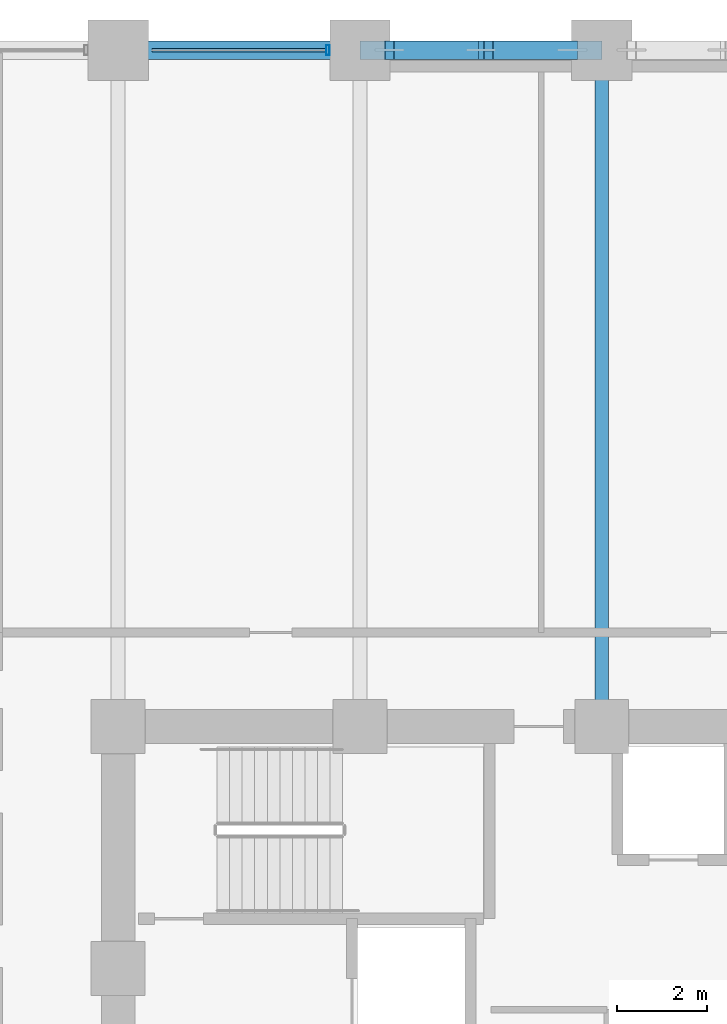
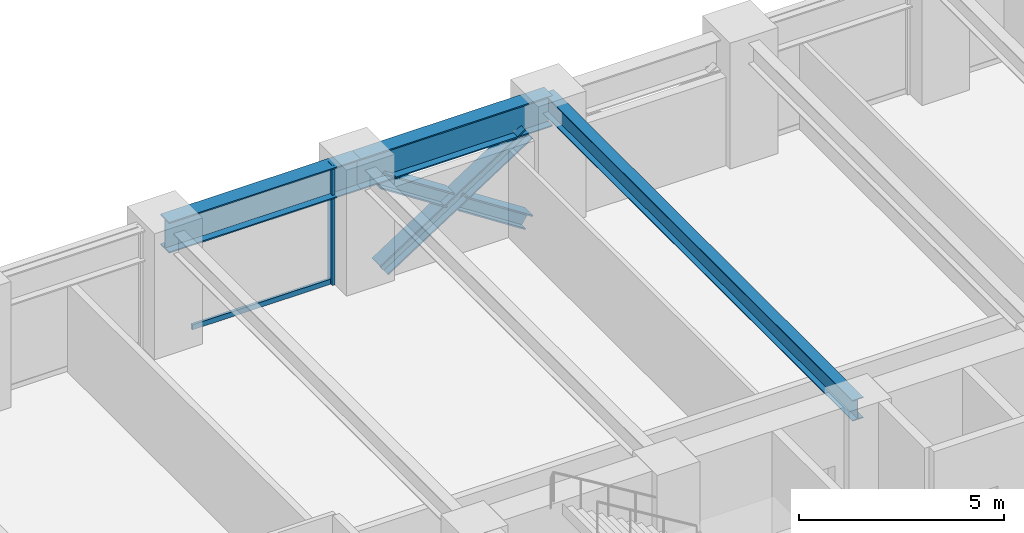
# One storey, part 13 of 25: 5 members, 3 beams, 1 element without a shape of its own.
"""IFC4 building model written with IfcOpenShell, lengths in metres."""

from ifc_helpers import new_model, si_unit, direction, frame, origin, origin_2d, place, context, subcontext, project, spatial, hollow_rectangle, i_section, extrude, material, layer, layer_set, material_profile, profile_set, type_object, element, aggregate, save


model = new_model("IFC4")

# Units and contexts
model_context = context("Model", 3, precision=1e-05, world=origin(), true_north=direction((0.0, 1.0)))
body_context = subcontext(model_context, "Body", "Model", "MODEL_VIEW")
ifc_project = project(units=[si_unit("LENGTHUNIT", "METRE"), si_unit("AREAUNIT", "SQUARE_METRE"), si_unit("VOLUMEUNIT", "CUBIC_METRE"), si_unit("PLANEANGLEUNIT", "RADIAN"), si_unit("MASSUNIT", "GRAM", prefix="KILO")], contexts=[model_context])

# Site, building, storey
site_placement = place(None, origin())
site = spatial("IfcSite", under=ifc_project, at=site_placement, CompositionType="ELEMENT")
building_placement = place(site_placement, origin())
building = spatial("IfcBuilding", under=site, at=building_placement, Name="Surkhivell Harbour Commons", CompositionType="ELEMENT")
storey_placement = place(building_placement, frame((0.0, 0.0, 37.5)))
storey = spatial("IfcBuildingStorey", under=building, at=storey_placement, Name="L09", CompositionType="ELEMENT", Elevation=37.5)

# Beams
ifc_material_1 = material(Name="Steel S355", Category="steel")
ifc_material_profile_1 = material_profile(ifc_material_1, i_section(OverallWidth=0.306884765625, OverallDepth=0.6201171875, WebThickness=0.01416015625, FlangeThickness=0.023681640625, at=origin_2d()), Name="UB610x305x179")
ifc_profile_set_1 = profile_set([ifc_material_profile_1], Name="Steel S355")
beam_type_1 = type_object("IfcBeamType", Name="BM-GRD-610A", PredefinedType="BEAM", material=ifc_profile_set_1)
beam_1_placement = place(storey_placement, frame((0.0, 10.800048828125, 3.260009765625), z_axis=(0.0, 1.0, 0.0), x_axis=(-1.0, 0.0, 0.0)))
element("IfcBeam", 1, at=beam_1_placement, inside=storey, type_object=beam_type_1, Name="L09 Floor Girder (0.0,10.8)", PredefinedType="BEAM", context=body_context, shape_type="SweptSolid", body=[
    extrude(i_section(OverallWidth=0.306884765625, OverallDepth=0.6201171875, WebThickness=0.01416015625, FlangeThickness=0.023681640625, at=origin_2d()), origin(), (0.0, 0.0, 1.0), 15.099853515625),
])
ifc_material_2 = material(Name="Steel S460", Category="steel")
ifc_material_profile_2 = material_profile(ifc_material_2, i_section(OverallWidth=0.419921875, OverallDepth=0.9208984375, WebThickness=0.021484375, FlangeThickness=0.03662109375, at=origin_2d()), Name="UB914x419x388")
ifc_profile_set_2 = profile_set([ifc_material_profile_2], Name="Steel S460")
beam_type_2 = type_object("IfcBeamType", Name="BM-SPN-914A", PredefinedType="SPANDREL", material=ifc_profile_set_2)
beam_2_placement = place(storey_placement, frame((-10.800048828125, 25.89990234375, 3.109619140625), z_axis=(1.0, 0.0, 0.0), x_axis=(0.0, 1.0, 0.0)))
element("IfcBeam", 2, at=beam_2_placement, inside=storey, type_object=beam_type_2, Name="L09 Tube Spandrel (-10.8,25.9)", PredefinedType="SPANDREL", context=body_context, shape_type="SweptSolid", body=[
    extrude(i_section(OverallWidth=0.419921875, OverallDepth=0.9208984375, WebThickness=0.021484375, FlangeThickness=0.03662109375, at=origin_2d()), origin(), (0.0, 0.0, 1.0), 5.400146484375),
])
beam_3_placement = place(storey_placement, frame((-5.39990234375, 25.89990234375, 3.109619140625), z_axis=(1.0, 0.0, 0.0), x_axis=(0.0, 1.0, 0.0)))
element("IfcBeam", 3, at=beam_3_placement, inside=storey, type_object=beam_type_2, Name="L09 Tube Spandrel (-5.4,25.9)", PredefinedType="SPANDREL", context=body_context, shape_type="SweptSolid", body=[
    extrude(i_section(OverallWidth=0.419921875, OverallDepth=0.9208984375, WebThickness=0.021484375, FlangeThickness=0.03662109375, at=origin_2d()), origin(), (0.0, 0.0, 1.0), 5.39990234375),
])

# Curtain wall, members
ifc_material_3 = material(Name="Anodised pale-metal aluminium and insulated glazing", Category="aluminium")
ifc_layer = layer(ifc_material_3, 0.219970703125)
ifc_layer_set = layer_set([ifc_layer], Name="Anodised pale-metal aluminium and insulated glazing")
curtain_wall_type = type_object("IfcCurtainWallType", Name="CW-SYS-Z1", PredefinedType="NOTDEFINED", material=ifc_layer_set)
curtain_wall_placement = place(storey_placement, origin())
curtain_wall = element("IfcCurtainWall", 4, at=curtain_wall_placement, inside=storey, type_object=curtain_wall_type, Name="L09 Curtain Wall CW-L09-E07S2", PredefinedType="NOTDEFINED")
ifc_material_4 = material(Name="Anodised pale-metal aluminium alloy 6063-T6", Category="aluminium")
ifc_material_profile_3 = material_profile(ifc_material_4, hollow_rectangle(XDim=0.074951171875, YDim=0.219970703125, WallThickness=0.00390625, at=origin_2d()), Name="ALU-MULL-75x220")
ifc_profile_set_3 = profile_set([ifc_material_profile_3], Name="Anodised pale-metal aluminium alloy 6063-T6")
member_type_1 = type_object("IfcMemberType", Name="CWM-220", PredefinedType="MULLION", material=ifc_profile_set_3)
member_1_placement = place(storey_placement, frame((-6.114501953125, 25.89990234375, 0.0), z_axis=(0.0, 0.0, 1.0), x_axis=(-1.0, 0.0, 0.0)))
member_1 = element("IfcMember", 5, at=member_1_placement, type_object=member_type_1, Name="CW-Z1 mullion 1", PredefinedType="MULLION", context=body_context, shape_type="SweptSolid", body=[
    extrude(hollow_rectangle(XDim=0.074951171875, YDim=0.219970703125, WallThickness=0.00390625, at=origin_2d()), origin(), (0.0, 0.0, 1.0), 3.570068359375),
])
ifc_material_profile_4 = material_profile(ifc_material_4, hollow_rectangle(XDim=0.074951171875, YDim=0.14990234375, WallThickness=0.00341796875, at=origin_2d()), Name="ALU-TRAN-75x150")
ifc_profile_set_4 = profile_set([ifc_material_profile_4], Name="Anodised pale-metal aluminium alloy 6063-T6")
member_type_2 = type_object("IfcMemberType", Name="CWT-150", PredefinedType="USERDEFINED", material=ifc_profile_set_4)
member_2_placement = place(storey_placement, frame((-6.152099609375, 25.89990234375, 0.074951171875), z_axis=(-1.0, 0.0, 0.0), x_axis=(0.0, -1.0, 0.0)))
member_2 = element("IfcMember", 6, at=member_2_placement, type_object=member_type_2, Name="CW-Z1 transom 1.1", ObjectType="TRANSOM", PredefinedType="USERDEFINED", context=body_context, shape_type="SweptSolid", body=[
    extrude(hollow_rectangle(XDim=0.074951171875, YDim=0.14990234375, WallThickness=0.00341796875, at=origin_2d()), origin(), (0.0, 0.0, 1.0), 3.89599609375),
])
aggregate(curtain_wall, [member_1, member_2])

# Members
ifc_material_profile_5 = material_profile(ifc_material_2, i_section(OverallWidth=0.406005859375, OverallDepth=0.416015625, WebThickness=0.026611328125, FlangeThickness=0.0390625, at=origin_2d()), Name="HD400x382")
ifc_profile_set_5 = profile_set([ifc_material_profile_5], Name="Steel S460")
member_type_3 = type_object("IfcMemberType", Name="MEM-BRC-HD382", PredefinedType="BRACE", material=ifc_profile_set_5)
member_3_placement = place(storey_placement, frame((-4.739990234375, 25.89990234375, 0.008056640625), z_axis=(0.83910375559, 0.0, 0.543971403067), x_axis=(0.0, 1.0, 0.0)))
element("IfcMember", 7, at=member_3_placement, inside=storey, type_object=member_type_3, Name="L09 Perimeter Mega-Brace MB- 01", PredefinedType="BRACE", context=body_context, shape_type="SweptSolid", body=[
    extrude(i_section(OverallWidth=0.406005859375, OverallDepth=0.416015625, WebThickness=0.026611328125, FlangeThickness=0.0390625, at=origin_2d()), origin(), (0.0, 0.0, 1.0), 4.8623046875),
])
member_4_placement = place(storey_placement, frame((-0.659912109375, 25.89990234375, 0.008056640625), z_axis=(-0.839117847051, 0.0, 0.54394966565), x_axis=(0.0, -1.0, 0.0)))
element("IfcMember", 8, at=member_4_placement, inside=storey, type_object=member_type_3, Name="L09 Perimeter Mega-Brace MB- 02", PredefinedType="BRACE", context=body_context, shape_type="SweptSolid", body=[
    extrude(i_section(OverallWidth=0.406005859375, OverallDepth=0.416015625, WebThickness=0.026611328125, FlangeThickness=0.0390625, at=origin_2d()), origin(), (0.0, 0.0, 1.0), 2.231689453125),
])
member_5_placement = place(storey_placement, frame((-2.86767578125, 25.89990234375, 1.439208984375), z_axis=(-0.83908547242, 0.0, 0.543999604756), x_axis=(0.0, -1.0, 0.0)))
element("IfcMember", 9, at=member_5_placement, inside=storey, type_object=member_type_3, Name="L09 Perimeter Mega-Brace MB- 03", PredefinedType="BRACE", context=body_context, shape_type="SweptSolid", body=[
    extrude(i_section(OverallWidth=0.406005859375, OverallDepth=0.416015625, WebThickness=0.026611328125, FlangeThickness=0.0390625, at=origin_2d()), origin(), (0.0, 0.0, 1.0), 2.2314453125),
])

save(model, "model.ifc")
